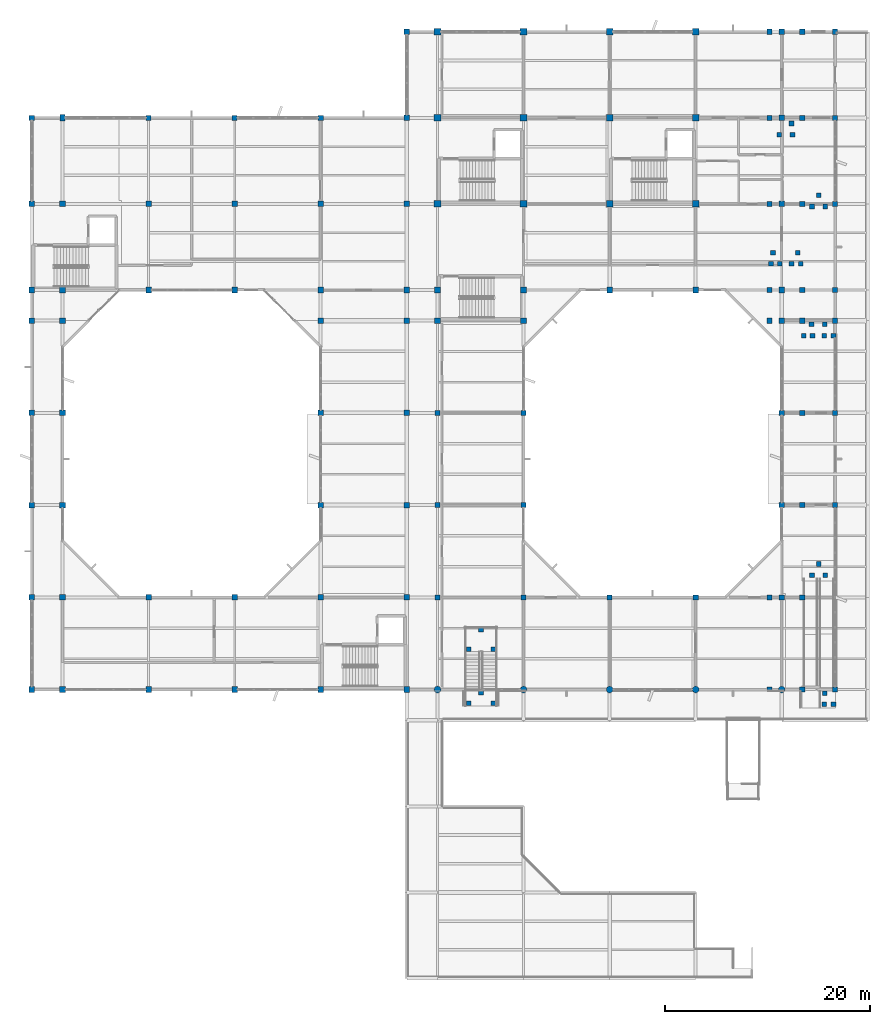
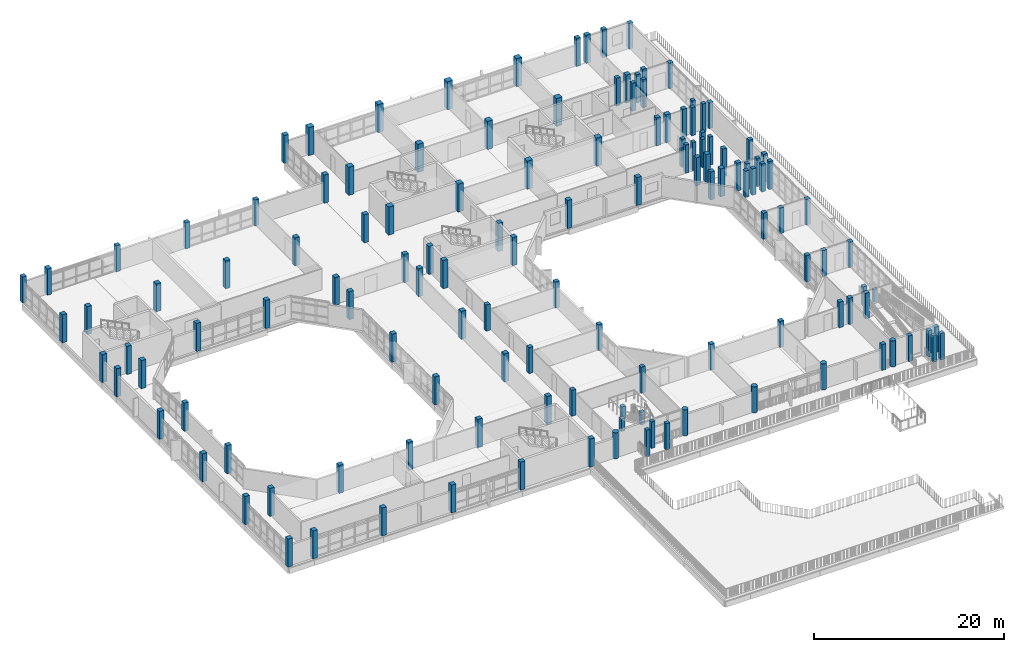
# One storey, part 1 of 51: 136 columns.
"""IFC4 building model written with IfcOpenShell, lengths in metres."""

from ifc_helpers import new_model, si_unit, direction, frame, origin, origin_2d, place, context, subcontext, project, spatial, rectangle, circle, extrude, material, material_profile, profile_set, type_object, element, save


model = new_model("IFC4")

# Units and contexts
model_context = context("Model", 3, precision=1e-05, world=origin(), true_north=direction((0.0, 1.0)))
body_context = subcontext(model_context, "Body", "Model", "MODEL_VIEW")
ifc_project = project(units=[si_unit("LENGTHUNIT", "METRE"), si_unit("AREAUNIT", "SQUARE_METRE"), si_unit("VOLUMEUNIT", "CUBIC_METRE"), si_unit("PLANEANGLEUNIT", "RADIAN"), si_unit("MASSUNIT", "GRAM", prefix="KILO")], contexts=[model_context])

# Site, building, storey
site_placement = place(None, origin())
site = spatial("IfcSite", under=ifc_project, at=site_placement, CompositionType="ELEMENT")
building_placement = place(site_placement, origin())
building = spatial("IfcBuilding", under=site, at=building_placement, Name="Vanh Quang Courtyard School", CompositionType="ELEMENT")
storey_placement = place(building_placement, frame((0.0, 0.0, 11.39990234375)))
storey = spatial("IfcBuildingStorey", under=building, at=storey_placement, Name="L03", CompositionType="ELEMENT", Elevation=11.39990234375)

# Columns
ifc_material = material(Name="Concrete C35/45", Category="concrete")
ifc_material_profile_1 = material_profile(ifc_material, rectangle(XDim=0.449951171875, YDim=0.449951171875, at=origin_2d()), Name="RC-COL 450x450")
ifc_profile_set_1 = profile_set([ifc_material_profile_1], Name="Concrete C35/45")
column_type_1 = type_object("IfcColumnType", Name="COL-RC-450", PredefinedType="COLUMN", material=ifc_profile_set_1)
for number, where, z_axis, x_axis, name in (
    (1, (113.949951171875, 43.550048828125, 0.0), (0.0, 0.0, 1.0), (1.0, 0.0, 0.0), "Column C-06 (L03)"),
    (2, (115.25, 43.550048828125, 0.0), (0.0, 0.0, 1.0), (1.0, 0.0, 0.0), "Column C-06 (L03)"),
    (3, (114.60009765625, 44.64990234375, 0.0), (0.0, 0.0, 1.0), (1.0, 0.0, 0.0), "Column C-06 (L03)"),
):
    element("IfcColumn", number, at=place(storey_placement, frame(where, z_axis=z_axis, x_axis=x_axis)), inside=storey, type_object=column_type_1, Name=name, PredefinedType="COLUMN", context=body_context, shape_type="SweptSolid", body=[
        extrude(rectangle(XDim=0.449951171875, YDim=0.449951171875, at=origin_2d()), origin(), (0.0, 0.0, 1.0), 1.580078125),
    ])
for number, where, z_axis, x_axis, name in (
    (4, (115.14990234375, 30.949951171875, 0.0), (0.0, 0.0, 1.0), (1.0, 0.0, 0.0), "Column C-06 (L03)"),
    (5, (116.050048828125, 30.949951171875, 0.0), (0.0, 0.0, 1.0), (1.0, 0.0, 0.0), "Column C-06 (L03)"),
    (6, (115.199951171875, 32.050048828125, 0.0), (0.0, 0.0, 1.0), (1.0, 0.0, 0.0), "Column C-06 (L03)"),
):
    element("IfcColumn", number, at=place(storey_placement, frame(where, z_axis=z_axis, x_axis=x_axis)), inside=storey, type_object=column_type_1, Name=name, PredefinedType="COLUMN", context=body_context, shape_type="SweptSolid", body=[
        extrude(rectangle(XDim=0.449951171875, YDim=0.449951171875, at=origin_2d()), origin(), (0.0, 0.0, 1.0), 3.380126953125),
    ])
for number, where, z_axis, x_axis, name in (
    (7, (113.949951171875, 79.550048828125, 0.0), (0.0, 0.0, 1.0), (1.0, 0.0, 0.0), "Column C-06 (L03)"),
    (8, (115.25, 79.550048828125, 0.0), (0.0, 0.0, 1.0), (1.0, 0.0, 0.0), "Column C-06 (L03)"),
    (9, (114.60009765625, 80.64990234375, 0.0), (0.0, 0.0, 1.0), (1.0, 0.0, 0.0), "Column C-06 (L03)"),
    (10, (115.14990234375, 66.949951171875, 0.0), (0.0, 0.0, 1.0), (1.0, 0.0, 0.0), "Column C-06 (L03)"),
    (11, (116.050048828125, 66.949951171875, 0.0), (0.0, 0.0, 1.0), (1.0, 0.0, 0.0), "Column C-06 (L03)"),
    (12, (115.199951171875, 68.050048828125, 0.0), (0.0, 0.0, 1.0), (1.0, 0.0, 0.0), "Column C-06 (L03)"),
):
    element("IfcColumn", number, at=place(storey_placement, frame(where, z_axis=z_axis, x_axis=x_axis)), inside=storey, type_object=column_type_1, Name=name, PredefinedType="COLUMN", context=body_context, shape_type="SweptSolid", body=[
        extrude(rectangle(XDim=0.449951171875, YDim=0.449951171875, at=origin_2d()), origin(), (0.0, 0.0, 1.0), 3.60009765625),
    ])
for number, where, z_axis, x_axis, name in (
    (13, (113.14990234375, 66.949951171875, 0.0), (0.0, 0.0, 1.0), (1.0, 0.0, 0.0), "Column C-06 (L03)"),
    (14, (114.0, 66.949951171875, 0.0), (0.0, 0.0, 1.0), (1.0, 0.0, 0.0), "Column C-06 (L03)"),
    (15, (113.89990234375, 68.050048828125, 0.0), (0.0, 0.0, 1.0), (1.0, 0.0, 0.0), "Column C-06 (L03)"),
):
    element("IfcColumn", number, at=place(storey_placement, frame(where, z_axis=z_axis, x_axis=x_axis)), inside=storey, type_object=column_type_1, Name=name, PredefinedType="COLUMN", context=body_context, shape_type="SweptSolid", body=[
        extrude(rectangle(XDim=0.449951171875, YDim=0.449951171875, at=origin_2d()), origin(), (0.0, 0.0, 1.0), 3.380126953125),
    ])
for number, where, z_axis, x_axis, name in (
    (16, (110.75, 86.550048828125, 0.0), (0.0, 0.0, 1.0), (1.0, 0.0, 0.0), "Column C-06 (L03)"),
    (17, (112.050048828125, 86.550048828125, 0.0), (0.0, 0.0, 1.0), (1.0, 0.0, 0.0), "Column C-06 (L03)"),
    (18, (111.949951171875, 87.64990234375, 0.0), (0.0, 0.0, 1.0), (1.0, 0.0, 0.0), "Column C-06 (L03)"),
    (19, (111.949951171875, 73.949951171875, 0.0), (0.0, 0.0, 1.0), (1.0, 0.0, 0.0), "Column C-06 (L03)"),
    (20, (112.85009765625, 73.949951171875, 0.0), (0.0, 0.0, 1.0), (1.0, 0.0, 0.0), "Column C-06 (L03)"),
    (21, (112.550048828125, 75.050048828125, 0.0), (0.0, 0.0, 1.0), (1.0, 0.0, 0.0), "Column C-06 (L03)"),
    (22, (109.949951171875, 73.949951171875, 0.0), (0.0, 0.0, 1.0), (1.0, 0.0, 0.0), "Column C-06 (L03)"),
    (23, (110.800048828125, 73.949951171875, 0.0), (0.0, 0.0, 1.0), (1.0, 0.0, 0.0), "Column C-06 (L03)"),
    (24, (110.14990234375, 75.050048828125, 0.0), (0.0, 0.0, 1.0), (1.0, 0.0, 0.0), "Column C-06 (L03)"),
):
    element("IfcColumn", number, at=place(storey_placement, frame(where, z_axis=z_axis, x_axis=x_axis)), inside=storey, type_object=column_type_1, Name=name, PredefinedType="COLUMN", context=body_context, shape_type="SweptSolid", body=[
        extrude(rectangle(XDim=0.449951171875, YDim=0.449951171875, at=origin_2d()), origin(), (0.0, 0.0, 1.0), 3.60009765625),
    ])
for number, where, z_axis, x_axis, name in (
    (25, (82.85009765625, 36.340087890625, 0.0), (0.0, 0.0, 1.0), (1.0, 0.0, 0.0), "Column C-06 (L03)"),
    (26, (80.449951171875, 36.340087890625, 0.0), (0.0, 0.0, 1.0), (1.0, 0.0, 0.0), "Column C-06 (L03)"),
    (27, (81.64990234375, 38.25, 0.0), (0.0, 0.0, 1.0), (1.0, 0.0, 0.0), "Column C-06 (L03)"),
):
    element("IfcColumn", number, at=place(storey_placement, frame(where, z_axis=z_axis, x_axis=x_axis)), inside=storey, type_object=column_type_1, Name=name, PredefinedType="COLUMN", context=body_context, shape_type="SweptSolid", body=[
        extrude(rectangle(XDim=0.449951171875, YDim=0.449951171875, at=origin_2d()), origin(), (0.0, 0.0, 1.0), 1.60009765625),
    ])
for number, where, z_axis, x_axis, name in (
    (28, (82.85009765625, 31.050048828125, 0.0), (0.0, 0.0, 1.0), (1.0, 0.0, 0.0), "Column C-06 (L03)"),
    (29, (80.449951171875, 31.050048828125, 0.0), (0.0, 0.0, 1.0), (1.0, 0.0, 0.0), "Column C-06 (L03)"),
    (30, (81.64990234375, 32.10009765625, 0.0), (0.0, 0.0, 1.0), (1.0, 0.0, 0.0), "Column C-06 (L03)"),
):
    element("IfcColumn", number, at=place(storey_placement, frame(where, z_axis=z_axis, x_axis=x_axis)), inside=storey, type_object=column_type_1, Name=name, PredefinedType="COLUMN", context=body_context, shape_type="SweptSolid", body=[
        extrude(rectangle(XDim=0.449951171875, YDim=0.449951171875, at=origin_2d()), origin(), (0.0, 0.0, 1.0), 3.400146484375),
    ])
ifc_material_profile_2 = material_profile(ifc_material, rectangle(XDim=0.5, YDim=0.5, at=origin_2d()), Name="RC-COL 500x500")
ifc_profile_set_2 = profile_set([ifc_material_profile_2], Name="Concrete C35/45")
column_type_2 = type_object("IfcColumnType", Name="COL-RC-500", PredefinedType="COLUMN", material=ifc_profile_set_2)
for number, where, z_axis, x_axis, name in (
    (31, (37.800048828125, 88.199951171875, 0.0), (0.0, 0.0, 1.0), (1.0, 0.0, 0.0), "Column C-05 (L03)"),
    (32, (49.199951171875, 88.199951171875, 0.0), (0.0, 0.0, 1.0), (1.0, 0.0, 0.0), "Column C-05 (L03)"),
    (33, (57.60009765625, 88.199951171875, 0.0), (0.0, 0.0, 1.0), (1.0, 0.0, 0.0), "Column C-05 (L03)"),
    (34, (66.0, 88.199951171875, 0.0), (0.0, 0.0, 1.0), (1.0, 0.0, 0.0), "Column C-05 (L03)"),
    (35, (77.39990234375, 41.39990234375, 0.0), (0.0, 0.0, 1.0), (1.0, 0.0, 0.0), "Column C-05 (L03)"),
    (36, (77.39990234375, 50.39990234375, 0.0), (0.0, 0.0, 1.0), (1.0, 0.0, 0.0), "Column C-05 (L03)"),
    (37, (77.39990234375, 59.39990234375, 0.0), (0.0, 0.0, 1.0), (1.0, 0.0, 0.0), "Column C-05 (L03)"),
    (38, (85.800048828125, 41.39990234375, 0.0), (0.0, 0.0, 1.0), (1.0, 0.0, 0.0), "Column C-05 (L03)"),
    (39, (85.800048828125, 50.39990234375, 0.0), (0.0, 0.0, 1.0), (1.0, 0.0, 0.0), "Column C-05 (L03)"),
    (40, (85.800048828125, 59.39990234375, 0.0), (0.0, 0.0, 1.0), (1.0, 0.0, 0.0), "Column C-05 (L03)"),
    (41, (94.199951171875, 41.39990234375, 0.0), (0.0, 0.0, 1.0), (1.0, 0.0, 0.0), "Column C-05 (L03)"),
    (42, (102.60009765625, 41.39990234375, 0.0), (0.0, 0.0, 1.0), (1.0, 0.0, 0.0), "Column C-05 (L03)"),
    (43, (111.0, 41.39990234375, 0.0), (0.0, 0.0, 1.0), (1.0, 0.0, 0.0), "Column C-05 (L03)"),
    (44, (111.0, 50.39990234375, 0.0), (0.0, 0.0, 1.0), (1.0, 0.0, 0.0), "Column C-05 (L03)"),
    (45, (111.0, 59.39990234375, 0.0), (0.0, 0.0, 1.0), (1.0, 0.0, 0.0), "Column C-05 (L03)"),
):
    element("IfcColumn", number, at=place(storey_placement, frame(where, z_axis=z_axis, x_axis=x_axis)), inside=storey, type_object=column_type_2, Name=name, PredefinedType="COLUMN", context=body_context, shape_type="SweptSolid", body=[
        extrude(rectangle(XDim=0.5, YDim=0.5, at=origin_2d()), origin(), (0.0, 0.0, 1.0), 3.340087890625),
    ])
for number, where, z_axis, x_axis, name in (
    (46, (116.199951171875, 32.39990234375, 0.0), (0.0, 0.0, 1.0), (1.0, 0.0, 0.0), "Column C-05 (L03)"),
    (47, (116.199951171875, 50.39990234375, 0.0), (0.0, 0.0, 1.0), (1.0, 0.0, 0.0), "Column C-05 (L03)"),
    (48, (116.199951171875, 59.39990234375, 0.0), (0.0, 0.0, 1.0), (1.0, 0.0, 0.0), "Column C-05 (L03)"),
):
    element("IfcColumn", number, at=place(storey_placement, frame(where, z_axis=z_axis, x_axis=x_axis)), inside=storey, type_object=column_type_2, Name=name, PredefinedType="COLUMN", context=body_context, shape_type="SweptSolid", body=[
        extrude(rectangle(XDim=0.5, YDim=0.5, at=origin_2d()), origin(), (0.0, 0.0, 1.0), 3.280029296875),
    ])
for number, where, z_axis, x_axis, name in (
    (49, (116.199951171875, 68.39990234375, 0.0), (0.0, 0.0, 1.0), (1.0, 0.0, 0.0), "Column C-05 (L03)"),
    (50, (116.199951171875, 71.39990234375, 0.0), (0.0, 0.0, 1.0), (1.0, 0.0, 0.0), "Column C-05 (L03)"),
):
    element("IfcColumn", number, at=place(storey_placement, frame(where, z_axis=z_axis, x_axis=x_axis)), inside=storey, type_object=column_type_2, Name=name, PredefinedType="COLUMN", context=body_context, shape_type="SweptSolid", body=[
        extrude(rectangle(XDim=0.5, YDim=0.5, at=origin_2d()), origin(), (0.0, 0.0, 1.0), 3.60009765625),
    ])
for number, where, z_axis, x_axis, name in (
    (51, (116.199951171875, 79.800048828125, 0.0), (0.0, 0.0, 1.0), (1.0, 0.0, 0.0), "Column C-05 (L03)"),
    (52, (116.199951171875, 88.199951171875, 0.0), (0.0, 0.0, 1.0), (1.0, 0.0, 0.0), "Column C-05 (L03)"),
    (53, (116.199951171875, 96.60009765625, 0.0), (0.0, 0.0, 1.0), (1.0, 0.0, 0.0), "Column C-05 (L03)"),
    (54, (113.0, 32.39990234375, 0.0), (0.0, 0.0, 1.0), (1.0, 0.0, 0.0), "Column C-05 (L03)"),
    (55, (113.0, 41.39990234375, 0.0), (0.0, 0.0, 1.0), (1.0, 0.0, 0.0), "Column C-05 (L03)"),
    (56, (113.0, 50.39990234375, 0.0), (0.0, 0.0, 1.0), (1.0, 0.0, 0.0), "Column C-05 (L03)"),
    (57, (113.0, 59.39990234375, 0.0), (0.0, 0.0, 1.0), (1.0, 0.0, 0.0), "Column C-05 (L03)"),
):
    element("IfcColumn", number, at=place(storey_placement, frame(where, z_axis=z_axis, x_axis=x_axis)), inside=storey, type_object=column_type_2, Name=name, PredefinedType="COLUMN", context=body_context, shape_type="SweptSolid", body=[
        extrude(rectangle(XDim=0.5, YDim=0.5, at=origin_2d()), origin(), (0.0, 0.0, 1.0), 3.280029296875),
    ])
for number, where, z_axis, x_axis, name in (
    (58, (113.0, 68.39990234375, 0.0), (0.0, 0.0, 1.0), (1.0, 0.0, 0.0), "Column C-05 (L03)"),
    (59, (113.0, 71.39990234375, 0.0), (0.0, 0.0, 1.0), (1.0, 0.0, 0.0), "Column C-05 (L03)"),
    (60, (113.0, 79.800048828125, 0.0), (0.0, 0.0, 1.0), (1.0, 0.0, 0.0), "Column C-05 (L03)"),
    (61, (113.0, 88.199951171875, 0.0), (0.0, 0.0, 1.0), (1.0, 0.0, 0.0), "Column C-05 (L03)"),
    (62, (113.0, 96.60009765625, 0.0), (0.0, 0.0, 1.0), (1.0, 0.0, 0.0), "Column C-05 (L03)"),
):
    element("IfcColumn", number, at=place(storey_placement, frame(where, z_axis=z_axis, x_axis=x_axis)), inside=storey, type_object=column_type_2, Name=name, PredefinedType="COLUMN", context=body_context, shape_type="SweptSolid", body=[
        extrude(rectangle(XDim=0.5, YDim=0.5, at=origin_2d()), origin(), (0.0, 0.0, 1.0), 3.60009765625),
    ])
for number, where, z_axis, x_axis, name in (
    (63, (109.800048828125, 32.39990234375, 0.0), (0.0, 0.0, 1.0), (1.0, 0.0, 0.0), "Column C-05 (L03)"),
    (64, (109.800048828125, 41.39990234375, 0.0), (0.0, 0.0, 1.0), (1.0, 0.0, 0.0), "Column C-05 (L03)"),
):
    element("IfcColumn", number, at=place(storey_placement, frame(where, z_axis=z_axis, x_axis=x_axis)), inside=storey, type_object=column_type_2, Name=name, PredefinedType="COLUMN", context=body_context, shape_type="SweptSolid", body=[
        extrude(rectangle(XDim=0.5, YDim=0.5, at=origin_2d()), origin(), (0.0, 0.0, 1.0), 3.280029296875),
    ])
for number, where, z_axis, x_axis, name in (
    (65, (109.800048828125, 68.39990234375, 0.0), (0.0, 0.0, 1.0), (1.0, 0.0, 0.0), "Column C-05 (L03)"),
    (66, (109.800048828125, 71.39990234375, 0.0), (0.0, 0.0, 1.0), (1.0, 0.0, 0.0), "Column C-05 (L03)"),
    (67, (109.800048828125, 79.800048828125, 0.0), (0.0, 0.0, 1.0), (1.0, 0.0, 0.0), "Column C-05 (L03)"),
    (68, (109.800048828125, 88.199951171875, 0.0), (0.0, 0.0, 1.0), (1.0, 0.0, 0.0), "Column C-05 (L03)"),
    (69, (109.800048828125, 96.60009765625, 0.0), (0.0, 0.0, 1.0), (1.0, 0.0, 0.0), "Column C-05 (L03)"),
):
    element("IfcColumn", number, at=place(storey_placement, frame(where, z_axis=z_axis, x_axis=x_axis)), inside=storey, type_object=column_type_2, Name=name, PredefinedType="COLUMN", context=body_context, shape_type="SweptSolid", body=[
        extrude(rectangle(XDim=0.5, YDim=0.5, at=origin_2d()), origin(), (0.0, 0.0, 1.0), 3.60009765625),
    ])
ifc_material_profile_3 = material_profile(ifc_material, rectangle(XDim=0.5, YDim=0.64990234375, at=origin_2d()), Name="RC-COL 500x650")
ifc_profile_set_3 = profile_set([ifc_material_profile_3], Name="Concrete C35/45")
column_type_3 = type_object("IfcColumnType", Name="COL-RC-500x650", PredefinedType="COLUMN", material=ifc_profile_set_3)
column_placement = place(storey_placement, frame((40.800048828125, 88.199951171875, 0.0), z_axis=(0.0, 0.0, 1.0), x_axis=(1.0, 0.0, 0.0)))
element("IfcColumn", 70, at=column_placement, inside=storey, type_object=column_type_3, Name="Column C-07 (L03)", PredefinedType="COLUMN", context=body_context, shape_type="SweptSolid", body=[
    extrude(rectangle(XDim=0.5, YDim=0.64990234375, at=origin_2d()), origin(), (0.0, 0.0, 1.0), 3.340087890625),
])
ifc_material_profile_4 = material_profile(ifc_material, rectangle(XDim=0.550048828125, YDim=0.550048828125, at=origin_2d()), Name="RC-COL 550x550")
ifc_profile_set_4 = profile_set([ifc_material_profile_4], Name="Concrete C35/45")
column_type_4 = type_object("IfcColumnType", Name="COL-RC-550", PredefinedType="COLUMN", material=ifc_profile_set_4)
for number, where, z_axis, x_axis, name in (
    (71, (37.800048828125, 32.39990234375, 0.0), (0.0, 0.0, 1.0), (1.0, 0.0, 0.0), "Column C-04 (L03)"),
    (72, (37.800048828125, 41.39990234375, 0.0), (0.0, 0.0, 1.0), (1.0, 0.0, 0.0), "Column C-04 (L03)"),
    (73, (37.800048828125, 50.39990234375, 0.0), (0.0, 0.0, 1.0), (1.0, 0.0, 0.0), "Column C-04 (L03)"),
    (74, (37.800048828125, 59.39990234375, 0.0), (0.0, 0.0, 1.0), (1.0, 0.0, 0.0), "Column C-04 (L03)"),
    (75, (37.800048828125, 68.39990234375, 0.0), (0.0, 0.0, 1.0), (1.0, 0.0, 0.0), "Column C-04 (L03)"),
    (76, (37.800048828125, 71.39990234375, 0.0), (0.0, 0.0, 1.0), (1.0, 0.0, 0.0), "Column C-04 (L03)"),
    (77, (37.800048828125, 79.800048828125, 0.0), (0.0, 0.0, 1.0), (1.0, 0.0, 0.0), "Column C-04 (L03)"),
    (78, (40.800048828125, 32.39990234375, 0.0), (0.0, 0.0, 1.0), (1.0, 0.0, 0.0), "Column C-04 (L03)"),
    (79, (40.800048828125, 41.39990234375, 0.0), (0.0, 0.0, 1.0), (1.0, 0.0, 0.0), "Column C-04 (L03)"),
    (80, (40.800048828125, 50.39990234375, 0.0), (0.0, 0.0, 1.0), (1.0, 0.0, 0.0), "Column C-04 (L03)"),
    (81, (40.800048828125, 59.39990234375, 0.0), (0.0, 0.0, 1.0), (1.0, 0.0, 0.0), "Column C-04 (L03)"),
    (82, (40.800048828125, 68.39990234375, 0.0), (0.0, 0.0, 1.0), (1.0, 0.0, 0.0), "Column C-04 (L03)"),
    (83, (40.800048828125, 71.39990234375, 0.0), (0.0, 0.0, 1.0), (1.0, 0.0, 0.0), "Column C-04 (L03)"),
    (84, (40.800048828125, 79.800048828125, 0.0), (0.0, 0.0, 1.0), (1.0, 0.0, 0.0), "Column C-04 (L03)"),
    (85, (49.199951171875, 32.39990234375, 0.0), (0.0, 0.0, 1.0), (1.0, 0.0, 0.0), "Column C-04 (L03)"),
    (86, (49.199951171875, 41.39990234375, 0.0), (0.0, 0.0, 1.0), (1.0, 0.0, 0.0), "Column C-04 (L03)"),
    (87, (49.199951171875, 71.39990234375, 0.0), (0.0, 0.0, 1.0), (1.0, 0.0, 0.0), "Column C-04 (L03)"),
    (88, (49.199951171875, 79.800048828125, 0.0), (0.0, 0.0, 1.0), (1.0, 0.0, 0.0), "Column C-04 (L03)"),
    (89, (57.60009765625, 32.39990234375, 0.0), (0.0, 0.0, 1.0), (1.0, 0.0, 0.0), "Column C-04 (L03)"),
    (90, (57.60009765625, 41.39990234375, 0.0), (0.0, 0.0, 1.0), (1.0, 0.0, 0.0), "Column C-04 (L03)"),
    (91, (57.60009765625, 71.39990234375, 0.0), (0.0, 0.0, 1.0), (1.0, 0.0, 0.0), "Column C-04 (L03)"),
    (92, (57.60009765625, 79.800048828125, 0.0), (0.0, 0.0, 1.0), (1.0, 0.0, 0.0), "Column C-04 (L03)"),
    (93, (66.0, 32.39990234375, 0.0), (0.0, 0.0, 1.0), (1.0, 0.0, 0.0), "Column C-04 (L03)"),
    (94, (66.0, 41.39990234375, 0.0), (0.0, 0.0, 1.0), (1.0, 0.0, 0.0), "Column C-04 (L03)"),
    (95, (66.0, 50.39990234375, 0.0), (0.0, 0.0, 1.0), (1.0, 0.0, 0.0), "Column C-04 (L03)"),
    (96, (66.0, 59.39990234375, 0.0), (0.0, 0.0, 1.0), (1.0, 0.0, 0.0), "Column C-04 (L03)"),
    (97, (66.0, 68.39990234375, 0.0), (0.0, 0.0, 1.0), (1.0, 0.0, 0.0), "Column C-04 (L03)"),
    (98, (66.0, 71.39990234375, 0.0), (0.0, 0.0, 1.0), (1.0, 0.0, 0.0), "Column C-04 (L03)"),
    (99, (66.0, 79.800048828125, 0.0), (0.0, 0.0, 1.0), (1.0, 0.0, 0.0), "Column C-04 (L03)"),
    (100, (74.39990234375, 32.39990234375, 0.0), (0.0, 0.0, 1.0), (1.0, 0.0, 0.0), "Column C-04 (L03)"),
    (101, (74.39990234375, 41.39990234375, 0.0), (0.0, 0.0, 1.0), (1.0, 0.0, 0.0), "Column C-04 (L03)"),
    (102, (74.39990234375, 50.39990234375, 0.0), (0.0, 0.0, 1.0), (1.0, 0.0, 0.0), "Column C-04 (L03)"),
    (103, (74.39990234375, 59.39990234375, 0.0), (0.0, 0.0, 1.0), (1.0, 0.0, 0.0), "Column C-04 (L03)"),
    (104, (74.39990234375, 68.39990234375, 0.0), (0.0, 0.0, 1.0), (1.0, 0.0, 0.0), "Column C-04 (L03)"),
    (105, (74.39990234375, 71.39990234375, 0.0), (0.0, 0.0, 1.0), (1.0, 0.0, 0.0), "Column C-04 (L03)"),
    (106, (74.39990234375, 79.800048828125, 0.0), (0.0, 0.0, 1.0), (1.0, 0.0, 0.0), "Column C-04 (L03)"),
    (107, (74.39990234375, 88.199951171875, 0.0), (0.0, 0.0, 1.0), (1.0, 0.0, 0.0), "Column C-04 (L03)"),
    (108, (74.39990234375, 96.60009765625, 0.0), (0.0, 0.0, 1.0), (1.0, 0.0, 0.0), "Column C-04 (L03)"),
    (109, (77.39990234375, 68.39990234375, 0.0), (0.0, 0.0, 1.0), (1.0, 0.0, 0.0), "Column C-04 (L03)"),
    (110, (77.39990234375, 71.39990234375, 0.0), (0.0, 0.0, 1.0), (1.0, 0.0, 0.0), "Column C-04 (L03)"),
    (111, (85.800048828125, 68.39990234375, 0.0), (0.0, 0.0, 1.0), (1.0, 0.0, 0.0), "Column C-04 (L03)"),
    (112, (85.800048828125, 71.39990234375, 0.0), (0.0, 0.0, 1.0), (1.0, 0.0, 0.0), "Column C-04 (L03)"),
    (113, (94.199951171875, 71.39990234375, 0.0), (0.0, 0.0, 1.0), (1.0, 0.0, 0.0), "Column C-04 (L03)"),
    (114, (102.60009765625, 71.39990234375, 0.0), (0.0, 0.0, 1.0), (1.0, 0.0, 0.0), "Column C-04 (L03)"),
    (115, (111.0, 68.39990234375, 0.0), (0.0, 0.0, 1.0), (1.0, 0.0, 0.0), "Column C-04 (L03)"),
    (116, (111.0, 71.39990234375, 0.0), (0.0, 0.0, 1.0), (1.0, 0.0, 0.0), "Column C-04 (L03)"),
    (117, (111.0, 79.800048828125, 0.0), (0.0, 0.0, 1.0), (1.0, 0.0, 0.0), "Column C-04 (L03)"),
    (118, (111.0, 88.199951171875, 0.0), (0.0, 0.0, 1.0), (1.0, 0.0, 0.0), "Column C-04 (L03)"),
    (119, (111.0, 96.60009765625, 0.0), (0.0, 0.0, 1.0), (1.0, 0.0, 0.0), "Column C-04 (L03)"),
):
    element("IfcColumn", number, at=place(storey_placement, frame(where, z_axis=z_axis, x_axis=x_axis)), inside=storey, type_object=column_type_4, Name=name, PredefinedType="COLUMN", context=body_context, shape_type="SweptSolid", body=[
        extrude(rectangle(XDim=0.550048828125, YDim=0.550048828125, at=origin_2d()), origin(), (0.0, 0.0, 1.0), 3.60009765625),
    ])
ifc_material_profile_5 = material_profile(ifc_material, rectangle(XDim=0.64990234375, YDim=0.64990234375, at=origin_2d()), Name="RC-COL 650x650")
ifc_profile_set_5 = profile_set([ifc_material_profile_5], Name="Concrete C35/45")
column_type_5 = type_object("IfcColumnType", Name="COL-RC-650", PredefinedType="COLUMN", material=ifc_profile_set_5)
for number, where, z_axis, x_axis, name in (
    (120, (77.39990234375, 79.800048828125, 0.0), (0.0, 0.0, 1.0), (1.0, 0.0, 0.0), "Column C-02 (L03)"),
    (121, (77.39990234375, 88.199951171875, 0.0), (0.0, 0.0, 1.0), (1.0, 0.0, 0.0), "Column C-02 (L03)"),
    (122, (77.39990234375, 96.60009765625, 0.0), (0.0, 0.0, 1.0), (1.0, 0.0, 0.0), "Column C-02 (L03)"),
    (123, (85.800048828125, 79.800048828125, 0.0), (0.0, 0.0, 1.0), (1.0, 0.0, 0.0), "Column C-02 (L03)"),
    (124, (85.800048828125, 88.199951171875, 0.0), (0.0, 0.0, 1.0), (1.0, 0.0, 0.0), "Column C-02 (L03)"),
    (125, (85.800048828125, 96.60009765625, 0.0), (0.0, 0.0, 1.0), (1.0, 0.0, 0.0), "Column C-02 (L03)"),
    (126, (94.199951171875, 79.800048828125, 0.0), (0.0, 0.0, 1.0), (1.0, 0.0, 0.0), "Column C-02 (L03)"),
    (127, (94.199951171875, 88.199951171875, 0.0), (0.0, 0.0, 1.0), (1.0, 0.0, 0.0), "Column C-02 (L03)"),
    (128, (94.199951171875, 96.60009765625, 0.0), (0.0, 0.0, 1.0), (1.0, 0.0, 0.0), "Column C-02 (L03)"),
    (129, (102.60009765625, 79.800048828125, 0.0), (0.0, 0.0, 1.0), (1.0, 0.0, 0.0), "Column C-02 (L03)"),
    (130, (102.60009765625, 88.199951171875, 0.0), (0.0, 0.0, 1.0), (1.0, 0.0, 0.0), "Column C-02 (L03)"),
    (131, (102.60009765625, 96.60009765625, 0.0), (0.0, 0.0, 1.0), (1.0, 0.0, 0.0), "Column C-02 (L03)"),
):
    element("IfcColumn", number, at=place(storey_placement, frame(where, z_axis=z_axis, x_axis=x_axis)), inside=storey, type_object=column_type_5, Name=name, PredefinedType="COLUMN", context=body_context, shape_type="SweptSolid", body=[
        extrude(rectangle(XDim=0.64990234375, YDim=0.64990234375, at=origin_2d()), origin(), (0.0, 0.0, 1.0), 3.60009765625),
    ])
ifc_material_profile_6 = material_profile(ifc_material, circle(Radius=0.324951171875, at=origin_2d()), Name="RC-COL D650")
ifc_profile_set_6 = profile_set([ifc_material_profile_6], Name="Concrete C35/45")
column_type_6 = type_object("IfcColumnType", Name="COL-RC-D650", PredefinedType="COLUMN", material=ifc_profile_set_6)
for number, where, z_axis, x_axis, name in (
    (132, (77.39990234375, 32.39990234375, 0.0), (0.0, 0.0, 1.0), (1.0, 0.0, 0.0), "Column C-10 (L03)"),
    (133, (85.800048828125, 32.39990234375, 0.0), (0.0, 0.0, 1.0), (1.0, 0.0, 0.0), "Column C-10 (L03)"),
    (134, (94.199951171875, 32.39990234375, 0.0), (0.0, 0.0, 1.0), (1.0, 0.0, 0.0), "Column C-10 (L03)"),
    (135, (102.60009765625, 32.39990234375, 0.0), (0.0, 0.0, 1.0), (1.0, 0.0, 0.0), "Column C-10 (L03)"),
    (136, (111.0, 32.39990234375, 0.0), (0.0, 0.0, 1.0), (1.0, 0.0, 0.0), "Column C-10 (L03)"),
):
    element("IfcColumn", number, at=place(storey_placement, frame(where, z_axis=z_axis, x_axis=x_axis)), inside=storey, type_object=column_type_6, Name=name, PredefinedType="COLUMN", context=body_context, shape_type="SweptSolid", body=[
        extrude(circle(Radius=0.324951171875, at=origin_2d()), origin(), (0.0, 0.0, 1.0), 3.340087890625),
    ])

save(model, "model.ifc")
